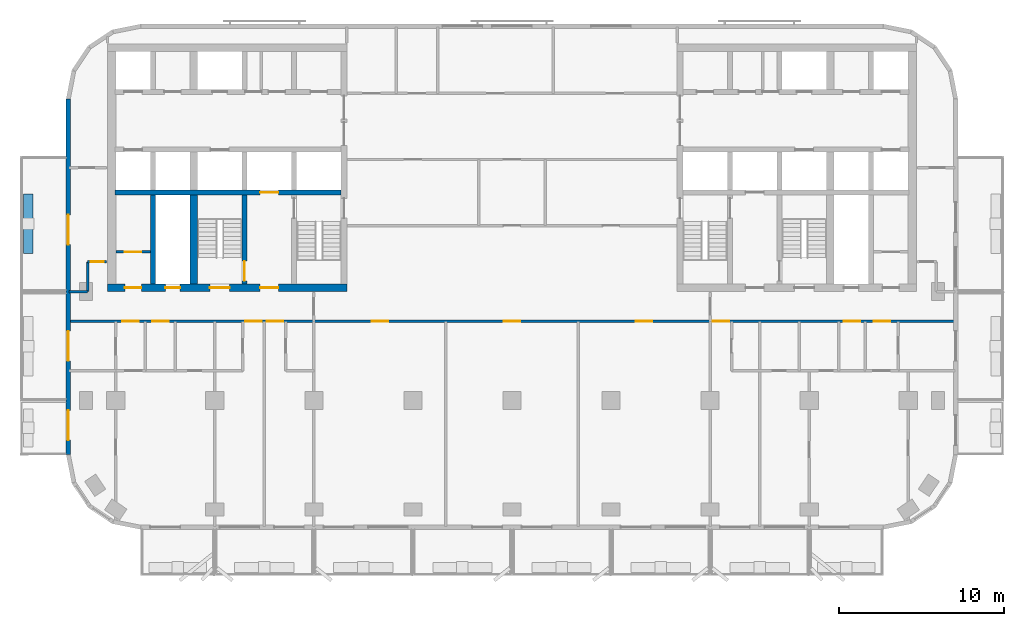
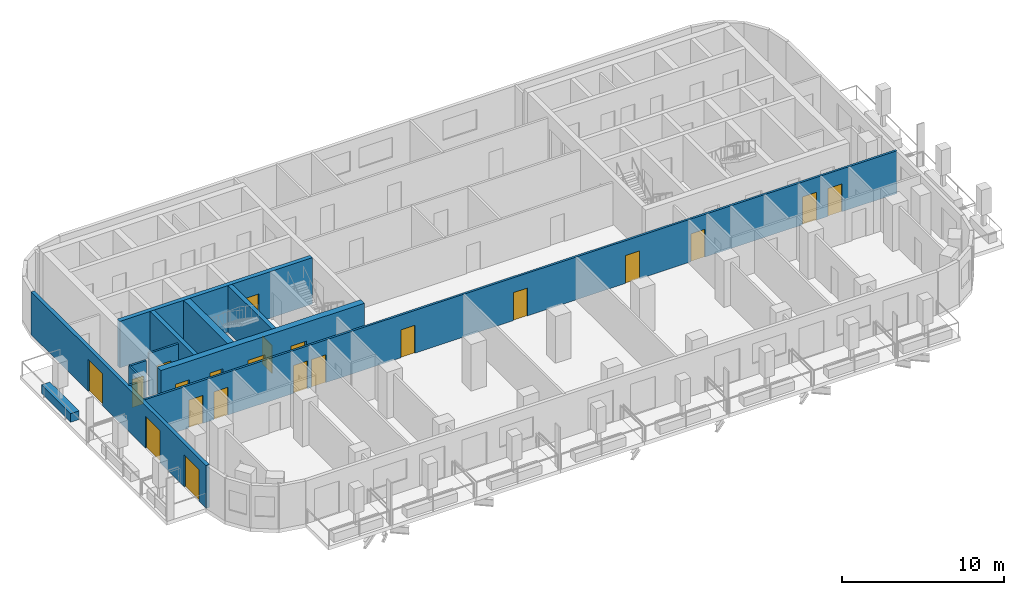
# One storey, part 3 of 11: 21 doors, 12 walls, 21 openings.
"""IFC4 building model written with IfcOpenShell, lengths in metres."""

from ifc_helpers import new_model, si_unit, direction, frame, frame_2d, origin, place, context, subcontext, project, spatial, rectangle, extrude, material, layer, layer_set, type_object, element, fill, save


model = new_model("IFC4")

# Units and contexts
model_context = context("Model", 3, precision=1e-05, world=origin(), true_north=direction((0.0, 1.0)))
body_context = subcontext(model_context, "Body", "Model", "MODEL_VIEW")
ifc_project = project(units=[si_unit("LENGTHUNIT", "METRE"), si_unit("AREAUNIT", "SQUARE_METRE"), si_unit("VOLUMEUNIT", "CUBIC_METRE"), si_unit("PLANEANGLEUNIT", "RADIAN"), si_unit("MASSUNIT", "GRAM", prefix="KILO")], contexts=[model_context])

# Site, building, storey
site_placement = place(None, origin())
site = spatial("IfcSite", under=ifc_project, at=site_placement, CompositionType="ELEMENT")
building_placement = place(site_placement, origin())
building = spatial("IfcBuilding", under=site, at=building_placement, Name="Torana Hotel and Residences", CompositionType="ELEMENT")
storey_placement = place(building_placement, frame((0.0, 0.0, 183.60009765625)))
storey = spatial("IfcBuildingStorey", under=building, at=storey_placement, Name="L47", CompositionType="ELEMENT", Elevation=183.60009765625)

# Wall, opening, door
ifc_material_1 = material(Name="Concrete C70/85", Category="concrete")
ifc_layer_1 = layer(ifc_material_1, 0.300048828125)
ifc_layer_set_1 = layer_set([ifc_layer_1], Name="CORE WALL 300 C70/85")
wall_type_1 = type_object("IfcWallType", Name="CORE WALL 300 C70/85", PredefinedType="SHEAR", material=ifc_layer_set_1)
wall_1_placement = place(storey_placement, frame((-24.050048828125, -9.0, 0.0), z_axis=(0.0, 0.0, 1.0), x_axis=(1.0, 0.0, 0.0)))
wall_1 = element("IfcWall", 1, at=wall_1_placement, inside=storey, type_object=wall_type_1, Name="Core wall W band", PredefinedType="SHEAR", context=body_context, shape_type="SweptSolid", body=[
    extrude(rectangle(XDim=13.699951171875, YDim=0.300048828125, at=frame_2d((6.85009765625, 0.0))), origin(), (0.0, 0.0, 1.0), 3.5),
])
opening_1_placement = place(wall_1_placement, frame((8.800048828125, 0.0, 0.0)))
opening_1 = element("IfcOpeningElement", 2, at=opening_1_placement, cuts=wall_1, Name="Opening LD", PredefinedType="OPENING", context=body_context, shape_type="SweptSolid", body=[
    extrude(rectangle(XDim=1.10009765625, YDim=2.10009765625, at=frame_2d((0.550048828125, 1.050048828125))), frame((0.0, 0.159912109375, 0.0), z_axis=(0.0, -1.0, 0.0), x_axis=(1.0, 0.0, 0.0)), (0.0, 0.0, 1.0), 0.320068359375),
])
ifc_material_2 = material(Name="Stainless steel 316", Category="steel")
door_type_1 = type_object("IfcDoorType", Name="LIFT LANDING DOOR LD 1100x2100", OperationType="DOUBLE_DOOR_SLIDING", PredefinedType="USERDEFINED", material=ifc_material_2)
door_1_placement = place(opening_1_placement, origin())
door_1 = element("IfcDoor", 3, at=door_1_placement, inside=storey, type_object=door_type_1, Name="Lift landing door FF1 L47", ObjectType="LIFT LANDING DOOR", OperationType="DOUBLE_DOOR_SLIDING", OverallHeight=2.10009765625, OverallWidth=1.10009765625, PredefinedType="USERDEFINED", context=body_context, shape_type="SweptSolid", body=[
    extrude(rectangle(XDim=1.10009765625, YDim=2.10009765625, at=frame_2d((0.550048828125, 1.050048828125))), frame((0.0, 0.02490234375, 0.0), z_axis=(0.0, -1.0, 0.0), x_axis=(1.0, 0.0, 0.0)), (0.0, 0.0, 1.0), 0.050048828125),
])
fill(opening_1, door_1)

wall_2_placement = place(storey_placement, frame((-16.199951171875, -14.550048828125, 0.0), z_axis=(0.0, 0.0, 1.0), x_axis=(0.0, 1.0, 0.0)))
wall_2 = element("IfcWall", 4, at=wall_2_placement, inside=storey, type_object=wall_type_1, Name="Core wall W x6.05-band", PredefinedType="SHEAR", context=body_context, shape_type="SweptSolid", body=[
    extrude(rectangle(XDim=5.400146484375, YDim=0.300048828125, at=frame_2d((2.7001953125, 0.0))), origin(), (0.0, 0.0, 1.0), 3.5),
])
opening_2_placement = place(wall_2_placement, frame((0.199951171875, 0.0, 0.0)))
opening_2 = element("IfcOpeningElement", 5, at=opening_2_placement, cuts=wall_2, Name="Opening L47-14", PredefinedType="OPENING", context=body_context, shape_type="SweptSolid", body=[
    extrude(rectangle(XDim=1.199951171875, YDim=2.10009765625, at=frame_2d((0.60009765625, 1.050048828125))), frame((0.0, 0.159912109375, 0.0), z_axis=(0.0, -1.0, 0.0), x_axis=(1.0, 0.0, 0.0)), (0.0, 0.0, 1.0), 0.320068359375),
])
ifc_material_3 = material(Name="Steel S235", Category="steel")
door_type_2 = type_object("IfcDoorType", Name="STAIR FIRE DOOR D3 1200x2100", OperationType="SINGLE_SWING_LEFT", PredefinedType="DOOR", material=ifc_material_3)
door_2_placement = place(opening_2_placement, origin())
door_2 = element("IfcDoor", 6, at=door_2_placement, inside=storey, type_object=door_type_2, Name="Stair-B-lobby door L47", OperationType="SINGLE_SWING_RIGHT", OverallHeight=2.10009765625, OverallWidth=1.199951171875, PredefinedType="DOOR", context=body_context, shape_type="SweptSolid", body=[
    extrude(rectangle(XDim=1.199951171875, YDim=2.10009765625, at=frame_2d((0.60009765625, 1.050048828125))), frame((0.0, 0.02490234375, 0.0), z_axis=(0.0, -1.0, 0.0), x_axis=(1.0, 0.0, 0.0)), (0.0, 0.0, 1.0), 0.050048828125),
])
fill(opening_2, door_2)

# Wall
wall_3_placement = place(storey_placement, frame((-21.75, -14.550048828125, 0.0), z_axis=(0.0, 0.0, 1.0), x_axis=(0.0, 1.0, 0.0)))
element("IfcWall", 7, at=wall_3_placement, inside=storey, type_object=wall_type_1, Name="Core wall W mm-band", PredefinedType="SHEAR", context=body_context, shape_type="SweptSolid", body=[
    extrude(rectangle(XDim=5.400146484375, YDim=0.300048828125, at=frame_2d((2.7001953125, 0.0))), origin(), (0.0, 0.0, 1.0), 3.5),
])

# Wall, openings, doors
ifc_material_4 = material(Name="Concrete C70/85", Category="concrete")
ifc_layer_2 = layer(ifc_material_4, 0.449951171875)
ifc_layer_set_2 = layer_set([ifc_layer_2], Name="CORE WALL 450 C70/85")
wall_type_2 = type_object("IfcWallType", Name="CORE WALL 450 C70/85", PredefinedType="SHEAR", material=ifc_layer_set_2)
wall_4_placement = place(storey_placement, frame((-24.5, -14.77490234375, 0.0), z_axis=(0.0, 0.0, 1.0), x_axis=(1.0, 0.0, 0.0)))
wall_4 = element("IfcWall", 8, at=wall_4_placement, inside=storey, type_object=wall_type_2, Name="Core wall W front", PredefinedType="SHEAR", context=body_context, shape_type="SweptSolid", body=[
    extrude(rectangle(XDim=14.5, YDim=0.449951171875, at=frame_2d((7.25, 0.0))), origin(), (0.0, 0.0, 1.0), 3.5),
])
opening_3_placement = place(wall_4_placement, frame((6.199951171875, 0.0, 0.0)))
opening_3 = element("IfcOpeningElement", 9, at=opening_3_placement, cuts=wall_4, Name="Opening L47-04", PredefinedType="OPENING", context=body_context, shape_type="SweptSolid", body=[
    extrude(rectangle(XDim=1.199951171875, YDim=2.10009765625, at=frame_2d((0.60009765625, 1.050048828125))), frame((0.0, 0.23486328125, 0.0), z_axis=(0.0, -1.0, 0.0), x_axis=(1.0, 0.0, 0.0)), (0.0, 0.0, 1.0), 0.469970703125),
])
opening_4_placement = place(wall_4_placement, frame((9.25, 0.0, 0.0)))
opening_4 = element("IfcOpeningElement", 10, at=opening_4_placement, cuts=wall_4, Name="Opening L47-05", PredefinedType="OPENING", context=body_context, shape_type="SweptSolid", body=[
    extrude(rectangle(XDim=1.10009765625, YDim=2.10009765625, at=frame_2d((0.550048828125, 1.050048828125))), frame((0.0, 0.23486328125, 0.0), z_axis=(0.0, -1.0, 0.0), x_axis=(1.0, 0.0, 0.0)), (0.0, 0.0, 1.0), 0.469970703125),
])
opening_5_placement = place(wall_4_placement, frame((3.5, 0.0, 0.0)))
opening_5 = element("IfcOpeningElement", 11, at=opening_5_placement, cuts=wall_4, Name="Opening L47-06", PredefinedType="OPENING", context=body_context, shape_type="SweptSolid", body=[
    extrude(rectangle(XDim=0.89990234375, YDim=2.10009765625, at=frame_2d((0.449951171875, 1.050048828125))), frame((0.0, 0.23486328125, 0.0), z_axis=(0.0, -1.0, 0.0), x_axis=(1.0, 0.0, 0.0)), (0.0, 0.0, 1.0), 0.469970703125),
])
opening_6_placement = place(wall_4_placement, frame((1.050048828125, 0.0, 0.0)))
opening_6 = element("IfcOpeningElement", 12, at=opening_6_placement, cuts=wall_4, Name="Opening L47-07", PredefinedType="OPENING", context=body_context, shape_type="SweptSolid", body=[
    extrude(rectangle(XDim=1.0, YDim=2.10009765625, at=frame_2d((0.5, 1.050048828125))), frame((0.0, 0.23486328125, 0.0), z_axis=(0.0, -1.0, 0.0), x_axis=(1.0, 0.0, 0.0)), (0.0, 0.0, 1.0), 0.469970703125),
])
ifc_material_5 = material(Name="Steel S235", Category="steel")
door_type_3 = type_object("IfcDoorType", Name="CORE ROOM FIRE DOOR D14 1000x2100", OperationType="SINGLE_SWING_LEFT", PredefinedType="DOOR", material=ifc_material_5)
door_3_placement = place(opening_6_placement, origin())
door_3 = element("IfcDoor", 13, at=door_3_placement, inside=storey, type_object=door_type_3, Name="M-Room-B door L47", OperationType="SINGLE_SWING_RIGHT", OverallHeight=2.10009765625, OverallWidth=1.0, PredefinedType="DOOR", context=body_context, shape_type="SweptSolid", body=[
    extrude(rectangle(XDim=1.0, YDim=2.10009765625, at=frame_2d((0.5, 1.050048828125))), frame((0.0, 0.02490234375, 0.0), z_axis=(0.0, -1.0, 0.0), x_axis=(1.0, 0.0, 0.0)), (0.0, 0.0, 1.0), 0.050048828125),
])
fill(opening_6, door_3)
ifc_material_6 = material(Name="Steel S235", Category="steel")
door_type_4 = type_object("IfcDoorType", Name="FIRE-FIGHTING LOBBY DOOR D8 1100x2100", OperationType="SINGLE_SWING_LEFT", PredefinedType="DOOR", material=ifc_material_6)
door_4_placement = place(opening_4_placement, origin())
door_4 = element("IfcDoor", 14, at=door_4_placement, inside=storey, type_object=door_type_4, Name="FF-lobby door L47", OperationType="SINGLE_SWING_RIGHT", OverallHeight=2.10009765625, OverallWidth=1.10009765625, PredefinedType="DOOR", context=body_context, shape_type="SweptSolid", body=[
    extrude(rectangle(XDim=1.10009765625, YDim=2.10009765625, at=frame_2d((0.550048828125, 1.050048828125))), frame((0.0, 0.02490234375, 0.0), z_axis=(0.0, -1.0, 0.0), x_axis=(1.0, 0.0, 0.0)), (0.0, 0.0, 1.0), 0.050048828125),
])
fill(opening_4, door_4)
ifc_material_7 = material(Name="Steel S235", Category="steel")
door_type_5 = type_object("IfcDoorType", Name="RISER ACCESS DOOR D5 900x2100", OperationType="SINGLE_SWING_LEFT", PredefinedType="DOOR", material=ifc_material_7)
door_5_placement = place(opening_5_placement, origin())
door_5 = element("IfcDoor", 15, at=door_5_placement, inside=storey, type_object=door_type_5, Name="M-Riser door L47", OperationType="SINGLE_SWING_RIGHT", OverallHeight=2.10009765625, OverallWidth=0.89990234375, PredefinedType="DOOR", context=body_context, shape_type="SweptSolid", body=[
    extrude(rectangle(XDim=0.89990234375, YDim=2.10009765625, at=frame_2d((0.449951171875, 1.050048828125))), frame((0.0, 0.02490234375, 0.0), z_axis=(0.0, -1.0, 0.0), x_axis=(1.0, 0.0, 0.0)), (0.0, 0.0, 1.0), 0.050048828125),
])
fill(opening_5, door_5)
door_6_placement = place(opening_3_placement, origin())
door_6 = element("IfcDoor", 16, at=door_6_placement, inside=storey, type_object=door_type_2, Name="Stair-B door L47", OperationType="SINGLE_SWING_RIGHT", OverallHeight=2.10009765625, OverallWidth=1.199951171875, PredefinedType="DOOR", context=body_context, shape_type="SweptSolid", body=[
    extrude(rectangle(XDim=1.199951171875, YDim=2.10009765625, at=frame_2d((0.60009765625, 1.050048828125))), frame((0.0, 0.02490234375, 0.0), z_axis=(0.0, -1.0, 0.0), x_axis=(1.0, 0.0, 0.0)), (0.0, 0.0, 1.0), 0.050048828125),
])
fill(opening_3, door_6)

# Wall
wall_5_placement = place(storey_placement, frame((-19.27490234375, -14.550048828125, 0.0), z_axis=(0.0, 0.0, 1.0), x_axis=(0.0, 1.0, 0.0)))
element("IfcWall", 17, at=wall_5_placement, inside=storey, type_object=wall_type_2, Name="Core wall W hm-band", PredefinedType="SHEAR", context=body_context, shape_type="SweptSolid", body=[
    extrude(rectangle(XDim=5.400146484375, YDim=0.449951171875, at=frame_2d((2.7001953125, 0.0))), origin(), (0.0, 0.0, 1.0), 3.5),
])

# Wall, openings, doors
ifc_material_8 = material(Name="Black aluminium composite panel", Category="aluminium")
ifc_layer_3 = layer(ifc_material_8, 0.00390625, Name="Cladding", Category="cladding")
ifc_material_9 = material(Name="Ventilated air cavity")
ifc_layer_4 = layer(ifc_material_9, 0.0400390625, Name="Ventilated cavity", Category="cavity")
ifc_material_10 = material(Name="Mineral wool insulation")
ifc_layer_5 = layer(ifc_material_10, 0.090087890625, Name="Insulation", Category="insulation")
ifc_material_11 = material(Name="Steel S280GD", Category="steel")
ifc_layer_6 = layer(ifc_material_11, 0.092041015625, Name="Steel stud frame", Category="structure")
ifc_material_12 = material(Name="Fire rated plasterboard")
ifc_layer_7 = layer(ifc_material_12, 0.011962890625, Name="Inner board", Category="finish")
ifc_layer_8 = layer(ifc_material_12, 0.011962890625, Name="Second board", Category="finish")
ifc_layer_set_3 = layer_set([ifc_layer_3, ifc_layer_4, ifc_layer_5, ifc_layer_6, ifc_layer_7, ifc_layer_8], Name="EW1 EXTERNAL WALL BLACK METAL CLAD 250")
wall_type_3 = type_object("IfcWallType", Name="EW1 EXTERNAL WALL BLACK METAL CLAD 250", PredefinedType="SOLIDWALL", material=ifc_layer_set_3)
wall_6_placement = place(storey_placement, frame((-26.875, -3.32470703125, 0.0), z_axis=(0.0, 0.0, 1.0), x_axis=(0.0, -1.0, 0.0)))
wall_6 = element("IfcWall", 18, at=wall_6_placement, inside=storey, type_object=wall_type_3, Name="External wall L47 e0.9", PredefinedType="SOLIDWALL", context=body_context, shape_type="SweptSolid", body=[
    extrude(rectangle(XDim=21.55078125, YDim=0.25, at=frame_2d((10.775390625, 0.0))), origin(), (0.0, 0.0, 1.0), 3.219970703125),
])
opening_7_placement = place(wall_6_placement, frame((7.025390625, 0.0, 0.0)))
opening_7 = element("IfcOpeningElement", 19, at=opening_7_placement, cuts=wall_6, Name="Opening L47-E12", PredefinedType="OPENING", context=body_context, shape_type="SweptSolid", body=[
    extrude(rectangle(XDim=1.800048828125, YDim=2.39990234375, at=frame_2d((0.89990234375, 1.199951171875))), frame((0.0, 0.135009765625, 0.0), z_axis=(0.0, -1.0, 0.0), x_axis=(1.0, 0.0, 0.0)), (0.0, 0.0, 1.0), 0.27001953125),
])
opening_8_placement = place(wall_6_placement, frame((14.075439453125, 0.0, 0.0)))
opening_8 = element("IfcOpeningElement", 20, at=opening_8_placement, cuts=wall_6, Name="Opening L47-E13", PredefinedType="OPENING", context=body_context, shape_type="SweptSolid", body=[
    extrude(rectangle(XDim=1.800048828125, YDim=2.39990234375, at=frame_2d((0.89990234375, 1.199951171875))), frame((0.0, 0.135009765625, 0.0), z_axis=(0.0, -1.0, 0.0), x_axis=(1.0, 0.0, 0.0)), (0.0, 0.0, 1.0), 0.27001953125),
])
opening_9_placement = place(wall_6_placement, frame((18.87548828125, 0.0, 0.0)))
opening_9 = element("IfcOpeningElement", 21, at=opening_9_placement, cuts=wall_6, Name="Opening L47-E14", PredefinedType="OPENING", context=body_context, shape_type="SweptSolid", body=[
    extrude(rectangle(XDim=1.800048828125, YDim=2.39990234375, at=frame_2d((0.89990234375, 1.199951171875))), frame((0.0, 0.135009765625, 0.0), z_axis=(0.0, -1.0, 0.0), x_axis=(1.0, 0.0, 0.0)), (0.0, 0.0, 1.0), 0.27001953125),
])
ifc_material_13 = material(Name="Dark glass in black aluminium frame", Category="aluminium")
door_type_6 = type_object("IfcDoorType", Name="DB1 BALCONY DOOR 1800x2400", OperationType="DOUBLE_DOOR_SINGLE_SWING", PredefinedType="DOOR", material=ifc_material_13)
door_7_placement = place(opening_7_placement, origin())
door_7 = element("IfcDoor", 22, at=door_7_placement, inside=storey, type_object=door_type_6, Name="Balcony door L47", OperationType="DOUBLE_DOOR_SINGLE_SWING", OverallHeight=2.39990234375, OverallWidth=1.800048828125, PredefinedType="DOOR", context=body_context, shape_type="SweptSolid", body=[
    extrude(rectangle(XDim=1.800048828125, YDim=2.39990234375, at=frame_2d((0.89990234375, 1.199951171875))), frame((0.0, 0.02490234375, 0.0), z_axis=(0.0, -1.0, 0.0), x_axis=(1.0, 0.0, 0.0)), (0.0, 0.0, 1.0), 0.050048828125),
])
fill(opening_7, door_7)
door_8_placement = place(opening_8_placement, origin())
door_8 = element("IfcDoor", 23, at=door_8_placement, inside=storey, type_object=door_type_6, Name="Balcony door L47", OperationType="DOUBLE_DOOR_SINGLE_SWING", OverallHeight=2.39990234375, OverallWidth=1.800048828125, PredefinedType="DOOR", context=body_context, shape_type="SweptSolid", body=[
    extrude(rectangle(XDim=1.800048828125, YDim=2.39990234375, at=frame_2d((0.89990234375, 1.199951171875))), frame((0.0, 0.02490234375, 0.0), z_axis=(0.0, -1.0, 0.0), x_axis=(1.0, 0.0, 0.0)), (0.0, 0.0, 1.0), 0.050048828125),
])
fill(opening_8, door_8)
door_9_placement = place(opening_9_placement, origin())
door_9 = element("IfcDoor", 24, at=door_9_placement, inside=storey, type_object=door_type_6, Name="Balcony door L47", OperationType="DOUBLE_DOOR_SINGLE_SWING", OverallHeight=2.39990234375, OverallWidth=1.800048828125, PredefinedType="DOOR", context=body_context, shape_type="SweptSolid", body=[
    extrude(rectangle(XDim=1.800048828125, YDim=2.39990234375, at=frame_2d((0.89990234375, 1.199951171875))), frame((0.0, 0.02490234375, 0.0), z_axis=(0.0, -1.0, 0.0), x_axis=(1.0, 0.0, 0.0)), (0.0, 0.0, 1.0), 0.050048828125),
])
fill(opening_9, door_9)

# Wall, opening, door
ifc_material_14 = material(Name="Gypsum plaster")
ifc_layer_9 = layer(ifc_material_14, 0.014892578125, Name="Plaster", Category="finish")
ifc_material_15 = material(Name="Concrete blockwork", Category="masonry")
ifc_layer_10 = layer(ifc_material_15, 0.1201171875, Name="Blockwork", Category="structure")
ifc_layer_11 = layer(ifc_material_14, 0.014892578125, Name="Plaster", Category="finish")
ifc_layer_set_4 = layer_set([ifc_layer_9, ifc_layer_10, ifc_layer_11], Name="FIRE PARTITION 150 BLOCKWORK")
wall_type_4 = type_object("IfcWallType", Name="FIRE PARTITION 150 BLOCKWORK", PredefinedType="PARTITIONING", material=ifc_layer_set_4)
wall_7_placement = place(storey_placement, frame((-24.0, -12.60009765625, 0.0), z_axis=(0.0, 0.0, 1.0), x_axis=(1.0, 0.0, 0.0)))
wall_7 = element("IfcWall", 25, at=wall_7_placement, inside=storey, type_object=wall_type_4, Name="Core partition L47", PredefinedType="PARTITIONING", context=body_context, shape_type="SweptSolid", body=[
    extrude(rectangle(XDim=2.10009765625, YDim=0.14990234375, at=frame_2d((1.050048828125, 0.0))), origin(), (0.0, 0.0, 1.0), 3.199951171875),
])
opening_10_placement = place(wall_7_placement, frame((0.550048828125, 0.0, 0.0)))
opening_10 = element("IfcOpeningElement", 26, at=opening_10_placement, cuts=wall_7, Name="Opening L47-29", PredefinedType="OPENING", context=body_context, shape_type="SweptSolid", body=[
    extrude(rectangle(XDim=1.0, YDim=2.10009765625, at=frame_2d((0.5, 1.050048828125))), frame((0.0, 0.0849609375, 0.0), z_axis=(0.0, -1.0, 0.0), x_axis=(1.0, 0.0, 0.0)), (0.0, 0.0, 1.0), 0.169921875),
])
door_10_placement = place(opening_10_placement, origin())
door_10 = element("IfcDoor", 27, at=door_10_placement, inside=storey, type_object=door_type_3, Name="Plant room door L47", OperationType="SINGLE_SWING_RIGHT", OverallHeight=2.10009765625, OverallWidth=1.0, PredefinedType="DOOR", context=body_context, shape_type="SweptSolid", body=[
    extrude(rectangle(XDim=1.0, YDim=2.10009765625, at=frame_2d((0.5, 1.050048828125))), frame((0.0, 0.02490234375, 0.0), z_axis=(0.0, -1.0, 0.0), x_axis=(1.0, 0.0, 0.0)), (0.0, 0.0, 1.0), 0.050048828125),
])
fill(opening_10, door_10)

# Wall
wall_8_placement = place(storey_placement, frame((-25.699951171875, -15.0, 0.0), z_axis=(0.0, 0.0, 1.0), x_axis=(0.0, 1.0, 0.0)))
element("IfcWall", 28, at=wall_8_placement, inside=storey, type_object=wall_type_4, Name="Partition L47", PredefinedType="PARTITIONING", context=body_context, shape_type="SweptSolid", body=[
    extrude(rectangle(XDim=1.800048828125, YDim=0.14990234375, at=frame_2d((0.89990234375, 0.0))), origin(), (0.0, 0.0, 1.0), 3.219970703125),
])

# Wall, openings, doors
wall_9_placement = place(storey_placement, frame((-26.820068359375, -16.800048828125, 0.0), z_axis=(0.0, 0.0, 1.0), x_axis=(1.0, 0.0, 0.0)))
wall_9 = element("IfcWall", 29, at=wall_9_placement, inside=storey, type_object=wall_type_4, Name="Partition L47", PredefinedType="PARTITIONING", context=body_context, shape_type="SweptSolid", body=[
    extrude(rectangle(XDim=53.64013671875, YDim=0.14990234375, at=frame_2d((26.820068359375, 0.0))), origin(), (0.0, 0.0, 1.0), 3.219970703125),
])
opening_11_placement = place(wall_9_placement, frame((11.969970703125, 0.0, 0.0)))
opening_11 = element("IfcOpeningElement", 30, at=opening_11_placement, cuts=wall_9, Name="Opening L47-32", PredefinedType="OPENING", context=body_context, shape_type="SweptSolid", body=[
    extrude(rectangle(XDim=1.0, YDim=2.10009765625, at=frame_2d((0.5, 1.050048828125))), frame((0.0, 0.0849609375, 0.0), z_axis=(0.0, -1.0, 0.0), x_axis=(1.0, 0.0, 0.0)), (0.0, 0.0, 1.0), 0.169921875),
])
opening_12_placement = place(wall_9_placement, frame((10.669921875, 0.0, 0.0)))
opening_12 = element("IfcOpeningElement", 31, at=opening_12_placement, cuts=wall_9, Name="Opening L47-33", PredefinedType="OPENING", context=body_context, shape_type="SweptSolid", body=[
    extrude(rectangle(XDim=1.0, YDim=2.10009765625, at=frame_2d((0.5, 1.050048828125))), frame((0.0, 0.0849609375, 0.0), z_axis=(0.0, -1.0, 0.0), x_axis=(1.0, 0.0, 0.0)), (0.0, 0.0, 1.0), 0.169921875),
])
opening_13_placement = place(wall_9_placement, frame((3.219970703125, 0.0, 0.0)))
opening_13 = element("IfcOpeningElement", 32, at=opening_13_placement, cuts=wall_9, Name="Opening L47-34", PredefinedType="OPENING", context=body_context, shape_type="SweptSolid", body=[
    extrude(rectangle(XDim=1.0, YDim=2.10009765625, at=frame_2d((0.5, 1.050048828125))), frame((0.0, 0.0849609375, 0.0), z_axis=(0.0, -1.0, 0.0), x_axis=(1.0, 0.0, 0.0)), (0.0, 0.0, 1.0), 0.169921875),
])
opening_14_placement = place(wall_9_placement, frame((5.02001953125, 0.0, 0.0)))
opening_14 = element("IfcOpeningElement", 33, at=opening_14_placement, cuts=wall_9, Name="Opening L47-35", PredefinedType="OPENING", context=body_context, shape_type="SweptSolid", body=[
    extrude(rectangle(XDim=1.0, YDim=2.10009765625, at=frame_2d((0.5, 1.050048828125))), frame((0.0, 0.0849609375, 0.0), z_axis=(0.0, -1.0, 0.0), x_axis=(1.0, 0.0, 0.0)), (0.0, 0.0, 1.0), 0.169921875),
])
opening_15_placement = place(wall_9_placement, frame((38.969970703125, 0.0, 0.0)))
opening_15 = element("IfcOpeningElement", 34, at=opening_15_placement, cuts=wall_9, Name="Opening L47-38", PredefinedType="OPENING", context=body_context, shape_type="SweptSolid", body=[
    extrude(rectangle(XDim=1.0, YDim=2.10009765625, at=frame_2d((0.5, 1.050048828125))), frame((0.0, 0.0849609375, 0.0), z_axis=(0.0, -1.0, 0.0), x_axis=(1.0, 0.0, 0.0)), (0.0, 0.0, 1.0), 0.169921875),
])
opening_16_placement = place(wall_9_placement, frame((48.719970703125, 0.0, 0.0)))
opening_16 = element("IfcOpeningElement", 35, at=opening_16_placement, cuts=wall_9, Name="Opening L47-39", PredefinedType="OPENING", context=body_context, shape_type="SweptSolid", body=[
    extrude(rectangle(XDim=1.0, YDim=2.10009765625, at=frame_2d((0.5, 1.050048828125))), frame((0.0, 0.0849609375, 0.0), z_axis=(0.0, -1.0, 0.0), x_axis=(1.0, 0.0, 0.0)), (0.0, 0.0, 1.0), 0.169921875),
])
opening_17_placement = place(wall_9_placement, frame((46.919921875, 0.0, 0.0)))
opening_17 = element("IfcOpeningElement", 36, at=opening_17_placement, cuts=wall_9, Name="Opening L47-40", PredefinedType="OPENING", context=body_context, shape_type="SweptSolid", body=[
    extrude(rectangle(XDim=1.0, YDim=2.10009765625, at=frame_2d((0.5, 1.050048828125))), frame((0.0, 0.0849609375, 0.0), z_axis=(0.0, -1.0, 0.0), x_axis=(1.0, 0.0, 0.0)), (0.0, 0.0, 1.0), 0.169921875),
])
opening_18_placement = place(wall_9_placement, frame((18.320068359375, 0.0, 0.0)))
opening_18 = element("IfcOpeningElement", 37, at=opening_18_placement, cuts=wall_9, Name="Opening L47-43", PredefinedType="OPENING", context=body_context, shape_type="SweptSolid", body=[
    extrude(rectangle(XDim=1.0, YDim=2.10009765625, at=frame_2d((0.5, 1.050048828125))), frame((0.0, 0.0849609375, 0.0), z_axis=(0.0, -1.0, 0.0), x_axis=(1.0, 0.0, 0.0)), (0.0, 0.0, 1.0), 0.169921875),
])
opening_19_placement = place(wall_9_placement, frame((26.320068359375, 0.0, 0.0)))
opening_19 = element("IfcOpeningElement", 38, at=opening_19_placement, cuts=wall_9, Name="Opening L47-44", PredefinedType="OPENING", context=body_context, shape_type="SweptSolid", body=[
    extrude(rectangle(XDim=1.0, YDim=2.10009765625, at=frame_2d((0.5, 1.050048828125))), frame((0.0, 0.0849609375, 0.0), z_axis=(0.0, -1.0, 0.0), x_axis=(1.0, 0.0, 0.0)), (0.0, 0.0, 1.0), 0.169921875),
])
opening_20_placement = place(wall_9_placement, frame((34.320068359375, 0.0, 0.0)))
opening_20 = element("IfcOpeningElement", 39, at=opening_20_placement, cuts=wall_9, Name="Opening L47-45", PredefinedType="OPENING", context=body_context, shape_type="SweptSolid", body=[
    extrude(rectangle(XDim=1.0, YDim=2.10009765625, at=frame_2d((0.5, 1.050048828125))), frame((0.0, 0.0849609375, 0.0), z_axis=(0.0, -1.0, 0.0), x_axis=(1.0, 0.0, 0.0)), (0.0, 0.0, 1.0), 0.169921875),
])
ifc_material_16 = material(Name="Steel S235", Category="steel")
door_type_7 = type_object("IfcDoorType", Name="ENTRY FIRE DOOR D6 1000x2100", OperationType="SINGLE_SWING_LEFT", PredefinedType="DOOR", material=ifc_material_16)
door_11_placement = place(opening_11_placement, frame((0.5, 0.0, 0.0), z_axis=(0.0, 0.0, 1.0), x_axis=(-1.0, 0.0, 0.0)))
door_11 = element("IfcDoor", 40, at=door_11_placement, inside=storey, type_object=door_type_7, Name="Door L47", OperationType="SINGLE_SWING_LEFT", OverallHeight=2.10009765625, OverallWidth=1.0, PredefinedType="DOOR", context=body_context, shape_type="SweptSolid", body=[
    extrude(rectangle(XDim=1.0, YDim=2.10009765625, at=frame_2d((0.0, 1.050048828125))), frame((0.0, -0.02490234375, 0.0), z_axis=(0.0, 1.0, 0.0), x_axis=(-1.0, 0.0, 0.0)), (0.0, 0.0, 1.0), 0.050048828125),
])
fill(opening_11, door_11)
door_12_placement = place(opening_12_placement, frame((0.5, 0.0, 0.0), z_axis=(0.0, 0.0, 1.0), x_axis=(-1.0, 0.0, 0.0)))
door_12 = element("IfcDoor", 41, at=door_12_placement, inside=storey, type_object=door_type_7, Name="Door L47", OperationType="SINGLE_SWING_LEFT", OverallHeight=2.10009765625, OverallWidth=1.0, PredefinedType="DOOR", context=body_context, shape_type="SweptSolid", body=[
    extrude(rectangle(XDim=1.0, YDim=2.10009765625, at=frame_2d((0.0, 1.050048828125))), frame((0.0, -0.02490234375, 0.0), z_axis=(0.0, 1.0, 0.0), x_axis=(-1.0, 0.0, 0.0)), (0.0, 0.0, 1.0), 0.050048828125),
])
fill(opening_12, door_12)
door_13_placement = place(opening_13_placement, origin())
door_13 = element("IfcDoor", 42, at=door_13_placement, inside=storey, type_object=door_type_7, Name="Door L47", OperationType="SINGLE_SWING_RIGHT", OverallHeight=2.10009765625, OverallWidth=1.0, PredefinedType="DOOR", context=body_context, shape_type="SweptSolid", body=[
    extrude(rectangle(XDim=1.0, YDim=2.10009765625, at=frame_2d((0.5, 1.050048828125))), frame((0.0, 0.02490234375, 0.0), z_axis=(0.0, -1.0, 0.0), x_axis=(1.0, 0.0, 0.0)), (0.0, 0.0, 1.0), 0.050048828125),
])
fill(opening_13, door_13)
door_14_placement = place(opening_14_placement, frame((0.5, 0.0, 0.0), z_axis=(0.0, 0.0, 1.0), x_axis=(-1.0, 0.0, 0.0)))
door_14 = element("IfcDoor", 43, at=door_14_placement, inside=storey, type_object=door_type_7, Name="Door L47", OperationType="SINGLE_SWING_LEFT", OverallHeight=2.10009765625, OverallWidth=1.0, PredefinedType="DOOR", context=body_context, shape_type="SweptSolid", body=[
    extrude(rectangle(XDim=1.0, YDim=2.10009765625, at=frame_2d((0.0, 1.050048828125))), frame((0.0, -0.02490234375, 0.0), z_axis=(0.0, 1.0, 0.0), x_axis=(-1.0, 0.0, 0.0)), (0.0, 0.0, 1.0), 0.050048828125),
])
fill(opening_14, door_14)
door_15_placement = place(opening_15_placement, frame((0.5, 0.0, 0.0), z_axis=(0.0, 0.0, 1.0), x_axis=(-1.0, 0.0, 0.0)))
door_15 = element("IfcDoor", 44, at=door_15_placement, inside=storey, type_object=door_type_7, Name="Door L47", OperationType="SINGLE_SWING_LEFT", OverallHeight=2.10009765625, OverallWidth=1.0, PredefinedType="DOOR", context=body_context, shape_type="SweptSolid", body=[
    extrude(rectangle(XDim=1.0, YDim=2.10009765625, at=frame_2d((0.0, 1.050048828125))), frame((0.0, -0.02490234375, 0.0), z_axis=(0.0, 1.0, 0.0), x_axis=(-1.0, 0.0, 0.0)), (0.0, 0.0, 1.0), 0.050048828125),
])
fill(opening_15, door_15)
door_16_placement = place(opening_16_placement, origin())
door_16 = element("IfcDoor", 45, at=door_16_placement, inside=storey, type_object=door_type_7, Name="Door L47", OperationType="SINGLE_SWING_RIGHT", OverallHeight=2.10009765625, OverallWidth=1.0, PredefinedType="DOOR", context=body_context, shape_type="SweptSolid", body=[
    extrude(rectangle(XDim=1.0, YDim=2.10009765625, at=frame_2d((0.5, 1.050048828125))), frame((0.0, 0.02490234375, 0.0), z_axis=(0.0, -1.0, 0.0), x_axis=(1.0, 0.0, 0.0)), (0.0, 0.0, 1.0), 0.050048828125),
])
fill(opening_16, door_16)
door_17_placement = place(opening_17_placement, frame((0.5, 0.0, 0.0), z_axis=(0.0, 0.0, 1.0), x_axis=(-1.0, 0.0, 0.0)))
door_17 = element("IfcDoor", 46, at=door_17_placement, inside=storey, type_object=door_type_7, Name="Door L47", OperationType="SINGLE_SWING_LEFT", OverallHeight=2.10009765625, OverallWidth=1.0, PredefinedType="DOOR", context=body_context, shape_type="SweptSolid", body=[
    extrude(rectangle(XDim=1.0, YDim=2.10009765625, at=frame_2d((0.0, 1.050048828125))), frame((0.0, -0.02490234375, 0.0), z_axis=(0.0, 1.0, 0.0), x_axis=(-1.0, 0.0, 0.0)), (0.0, 0.0, 1.0), 0.050048828125),
])
fill(opening_17, door_17)
door_18_placement = place(opening_18_placement, frame((0.5, 0.0, 0.0), z_axis=(0.0, 0.0, 1.0), x_axis=(-1.0, 0.0, 0.0)))
door_18 = element("IfcDoor", 47, at=door_18_placement, inside=storey, type_object=door_type_7, Name="Door L47", OperationType="SINGLE_SWING_LEFT", OverallHeight=2.10009765625, OverallWidth=1.0, PredefinedType="DOOR", context=body_context, shape_type="SweptSolid", body=[
    extrude(rectangle(XDim=1.0, YDim=2.10009765625, at=frame_2d((0.0, 1.050048828125))), frame((0.0, -0.02490234375, 0.0), z_axis=(0.0, 1.0, 0.0), x_axis=(-1.0, 0.0, 0.0)), (0.0, 0.0, 1.0), 0.050048828125),
])
fill(opening_18, door_18)
door_19_placement = place(opening_19_placement, frame((0.5, 0.0, 0.0), z_axis=(0.0, 0.0, 1.0), x_axis=(-1.0, 0.0, 0.0)))
door_19 = element("IfcDoor", 48, at=door_19_placement, inside=storey, type_object=door_type_7, Name="Door L47", OperationType="SINGLE_SWING_LEFT", OverallHeight=2.10009765625, OverallWidth=1.0, PredefinedType="DOOR", context=body_context, shape_type="SweptSolid", body=[
    extrude(rectangle(XDim=1.0, YDim=2.10009765625, at=frame_2d((0.0, 1.050048828125))), frame((0.0, -0.02490234375, 0.0), z_axis=(0.0, 1.0, 0.0), x_axis=(-1.0, 0.0, 0.0)), (0.0, 0.0, 1.0), 0.050048828125),
])
fill(opening_19, door_19)
door_20_placement = place(opening_20_placement, frame((0.5, 0.0, 0.0), z_axis=(0.0, 0.0, 1.0), x_axis=(-1.0, 0.0, 0.0)))
door_20 = element("IfcDoor", 49, at=door_20_placement, inside=storey, type_object=door_type_7, Name="Door L47", OperationType="SINGLE_SWING_LEFT", OverallHeight=2.10009765625, OverallWidth=1.0, PredefinedType="DOOR", context=body_context, shape_type="SweptSolid", body=[
    extrude(rectangle(XDim=1.0, YDim=2.10009765625, at=frame_2d((0.0, 1.050048828125))), frame((0.0, -0.02490234375, 0.0), z_axis=(0.0, 1.0, 0.0), x_axis=(-1.0, 0.0, 0.0)), (0.0, 0.0, 1.0), 0.050048828125),
])
fill(opening_20, door_20)

# Wall
wall_10_placement = place(storey_placement, frame((-26.820068359375, -15.0, 0.0), z_axis=(0.0, 0.0, 1.0), x_axis=(1.0, 0.0, 0.0)))
element("IfcWall", 50, at=wall_10_placement, inside=storey, type_object=wall_type_4, Name="Partition L47", PredefinedType="PARTITIONING", context=body_context, shape_type="SweptSolid", body=[
    extrude(rectangle(XDim=1.1201171875, YDim=0.14990234375, at=frame_2d((0.56005859375, 0.0))), origin(), (0.0, 0.0, 1.0), 3.219970703125),
])

# Wall, opening, door
wall_11_placement = place(storey_placement, frame((-25.699951171875, -13.199951171875, 0.0), z_axis=(0.0, 0.0, 1.0), x_axis=(1.0, 0.0, 0.0)))
wall_11 = element("IfcWall", 51, at=wall_11_placement, inside=storey, type_object=wall_type_4, Name="Partition L47", PredefinedType="PARTITIONING", context=body_context, shape_type="SweptSolid", body=[
    extrude(rectangle(XDim=1.14990234375, YDim=0.14990234375, at=frame_2d((0.574951171875, 0.0))), origin(), (0.0, 0.0, 1.0), 3.219970703125),
])
opening_21_placement = place(wall_11_placement, frame((0.175048828125, 0.0, 0.0)))
opening_21 = element("IfcOpeningElement", 52, at=opening_21_placement, cuts=wall_11, Name="Opening L47-36", PredefinedType="OPENING", context=body_context, shape_type="SweptSolid", body=[
    extrude(rectangle(XDim=0.800048828125, YDim=2.10009765625, at=frame_2d((0.39990234375, 1.050048828125))), frame((0.0, 0.0849609375, 0.0), z_axis=(0.0, -1.0, 0.0), x_axis=(1.0, 0.0, 0.0)), (0.0, 0.0, 1.0), 0.169921875),
])
ifc_material_17 = material(Name="Steel S235", Category="steel")
door_type_8 = type_object("IfcDoorType", Name="STORE FIRE DOOR D16 800x2100", OperationType="SINGLE_SWING_LEFT", PredefinedType="DOOR", material=ifc_material_17)
door_21_placement = place(opening_21_placement, origin())
door_21 = element("IfcDoor", 53, at=door_21_placement, inside=storey, type_object=door_type_8, Name="Door L47", OperationType="SINGLE_SWING_LEFT", OverallHeight=2.10009765625, OverallWidth=0.800048828125, PredefinedType="DOOR", context=body_context, shape_type="SweptSolid", body=[
    extrude(rectangle(XDim=0.800048828125, YDim=2.10009765625, at=frame_2d((0.39990234375, 1.050048828125))), frame((0.0, 0.02490234375, 0.0), z_axis=(0.0, -1.0, 0.0), x_axis=(1.0, 0.0, 0.0)), (0.0, 0.0, 1.0), 0.050048828125),
])
fill(opening_21, door_21)

# Wall
ifc_material_18 = material(Name="Concrete C40/50 precast", Category="concrete")
ifc_layer_12 = layer(ifc_material_18, 0.10009765625, Name="Planter shell", Category="structure")
ifc_material_19 = material(Name="Root resistant membrane")
ifc_layer_13 = layer(ifc_material_19, 0.00390625, Name="Waterproofing membrane", Category="membrane")
ifc_material_20 = material(Name="Drainage board with filter fleece")
ifc_layer_14 = layer(ifc_material_20, 0.02001953125, Name="Drainage board", Category="drainage")
ifc_material_21 = material(Name="Growing medium")
ifc_layer_15 = layer(ifc_material_21, 0.47607421875, Name="Planting substrate", Category="soil")
ifc_layer_set_5 = layer_set([ifc_layer_12, ifc_layer_13, ifc_layer_14, ifc_layer_15], Name="PL1 BALCONY PLANTER 600")
wall_type_5 = type_object("IfcWallType", Name="PL1 BALCONY PLANTER 600", PredefinedType="USERDEFINED", material=ifc_layer_set_5)
wall_12_placement = place(storey_placement, frame((-29.300048828125, -12.699951171875, 0.0), z_axis=(0.0, 0.0, 1.0), x_axis=(0.0, 1.0, 0.0)))
element("IfcWall", 54, at=wall_12_placement, inside=storey, type_object=wall_type_5, Name="Planter 11", ObjectType="PLANTER", PredefinedType="USERDEFINED", context=body_context, shape_type="SweptSolid", body=[
    extrude(rectangle(XDim=3.599853515625, YDim=0.60009765625, at=frame_2d((1.7998046875, 0.0))), origin(), (0.0, 0.0, 1.0), 0.64990234375),
])

save(model, "model.ifc")
